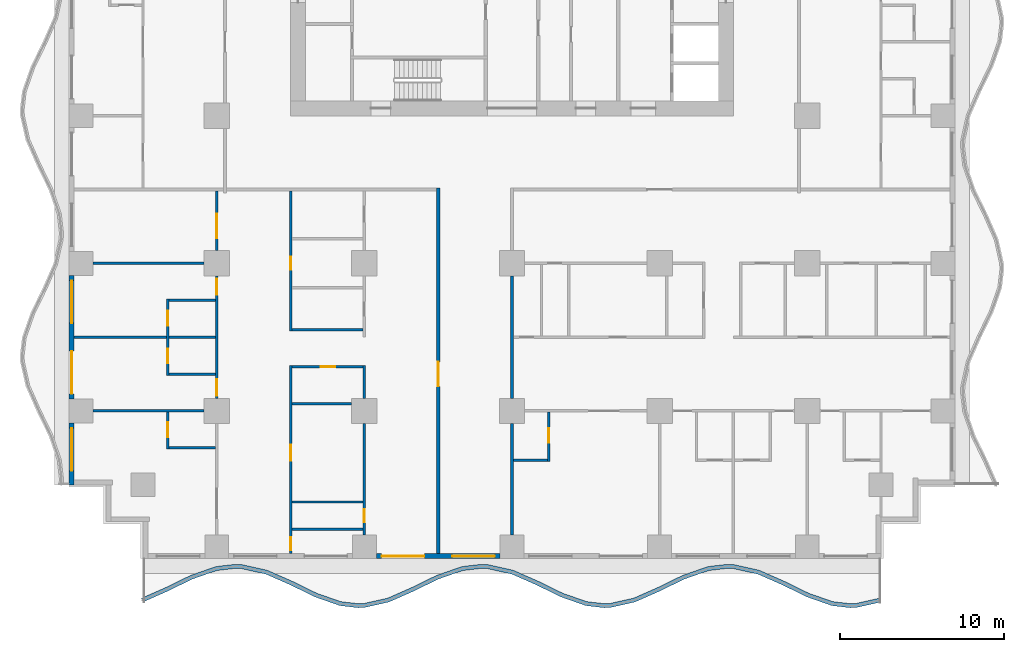
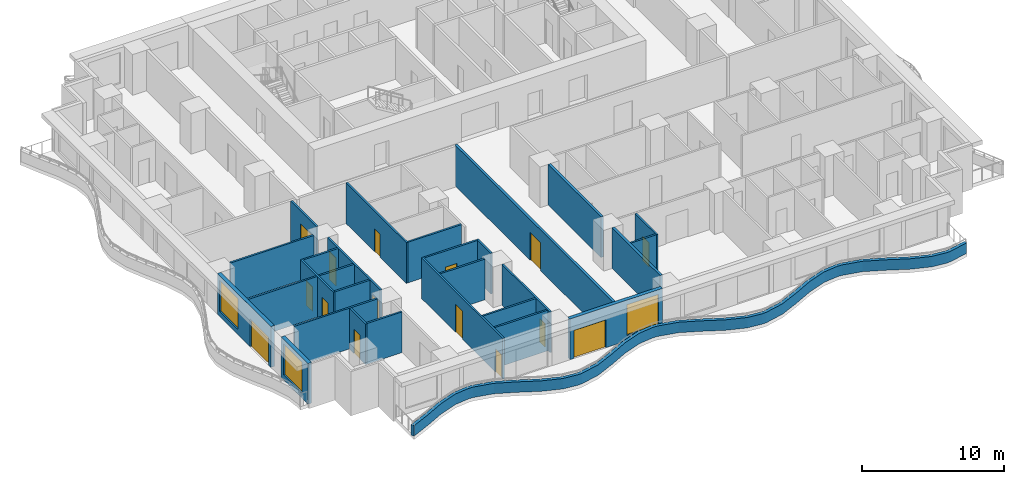
# One storey, part 2 of 14: 29 walls, 15 doors, 3 windows, 18 openings.
"""IFC4 building model written with IfcOpenShell, lengths in metres."""

from ifc_helpers import new_model, si_unit, direction, frame, frame_2d, origin, place, context, subcontext, project, spatial, polyline, rectangle, outline, extrude, material, layer, layer_set, type_object, element, fill, save


model = new_model("IFC4")

# Units and contexts
model_context = context("Model", 3, precision=1e-05, world=origin(), true_north=direction((0.0, 1.0)))
body_context = subcontext(model_context, "Body", "Model", "MODEL_VIEW")
ifc_project = project(units=[si_unit("LENGTHUNIT", "METRE"), si_unit("AREAUNIT", "SQUARE_METRE"), si_unit("VOLUMEUNIT", "CUBIC_METRE"), si_unit("PLANEANGLEUNIT", "RADIAN"), si_unit("MASSUNIT", "GRAM", prefix="KILO")], contexts=[model_context])

# Site, building, storey
site_placement = place(None, origin())
site = spatial("IfcSite", under=ifc_project, at=site_placement, CompositionType="ELEMENT")
building_placement = place(site_placement, origin())
building = spatial("IfcBuilding", under=site, at=building_placement, Name="Orbiselva Terraces", CompositionType="ELEMENT")
storey_placement = place(building_placement, frame((0.0, 0.0, 26.4)))
storey = spatial("IfcBuildingStorey", under=building, at=storey_placement, Name="L06", CompositionType="ELEMENT", Elevation=26.4)

# Wall
ifc_material_1 = material(Name="Concrete C40/50", Category="concrete")
ifc_layer_1 = layer(ifc_material_1, 0.25)
ifc_layer_set_1 = layer_set([ifc_layer_1], Name="Concrete C40/50")
wall_type_1 = type_object("IfcWallType", Name="ENV-PLANTER-250x900", PredefinedType="USERDEFINED", material=ifc_layer_set_1)
wall_1_placement = place(storey_placement, origin())
element("IfcWall", 1, at=wall_1_placement, inside=storey, type_object=wall_type_1, Name="Balcony planter L06 S", ObjectType="PLANTER", PredefinedType="USERDEFINED", context=body_context, shape_type="SweptSolid", body=[
    extrude(outline(polyline([(-22.5, -25.148528), (-21.0, -24.487721), (-19.5, -23.755211), (-18.0, -23.230792), (-16.875, -23.1), (-16.5, -23.114774), (-15.0, -23.451472), (-13.5, -24.112279), (-12.0, -24.844789), (-10.5, -25.369208), (-9.375, -25.5), (-9.0, -25.485226), (-7.5, -25.148528), (-6.0, -24.487721), (-4.5, -23.755211), (-3.0, -23.230792), (-1.875, -23.1), (-1.5, -23.114774), (0.0, -23.451472), (1.5, -24.112279), (3.0, -24.844789), (4.5, -25.369208), (5.625, -25.5), (6.0, -25.485226), (7.5, -25.148528), (9.0, -24.487721), (10.5, -23.755211), (12.0, -23.230792), (13.125, -23.1), (13.5, -23.114774), (15.0, -23.451472), (16.5, -24.112279), (18.0, -24.844789), (19.5, -25.369208), (20.625, -25.5), (21.0, -25.485226), (22.5, -25.148528), (22.445246, -24.904598), (20.967435, -25.236315), (20.634572, -25.249429), (19.556371, -25.124078), (18.09644, -24.613667), (16.605286, -23.885477), (15.078508, -23.212874), (13.532565, -22.865863), (13.115428, -22.849429), (11.943629, -22.985662), (10.40356, -23.524089), (8.894714, -24.260919), (7.421492, -24.90993), (5.967435, -25.236315), (5.634572, -25.249429), (4.556371, -25.124078), (3.09644, -24.613667), (1.605286, -23.885477), (0.078508, -23.212874), (-1.467435, -22.865863), (-1.884572, -22.849429), (-3.056371, -22.985662), (-4.59644, -23.524089), (-6.105286, -24.260919), (-7.578508, -24.90993), (-9.032565, -25.236315), (-9.365428, -25.249429), (-10.443629, -25.124078), (-11.90356, -24.613667), (-13.394714, -23.885477), (-14.921492, -23.212874), (-16.467435, -22.865863), (-16.884572, -22.849429), (-18.056371, -22.985662), (-19.59644, -23.524089), (-21.105286, -24.260919), (-22.600788, -24.919745), (-22.5, -25.148528)])), origin(), (0.0, 0.0, 1.0), 0.9),
])

# Wall, openings, door, window
ifc_material_2 = material(Name="Terracotta cladding on masonry backing", Category="masonry")
ifc_layer_2 = layer(ifc_material_2, 0.3)
ifc_layer_set_2 = layer_set([ifc_layer_2], Name="Terracotta cladding on masonry backing")
wall_type_2 = type_object("IfcWallType", Name="ENV-WALL-TERRACOTTA-300", PredefinedType="SOLIDWALL", material=ifc_layer_set_2)
wall_2_placement = place(storey_placement, frame((-0.725, -22.35, 0.0), z_axis=(0.0, 0.0, 1.0), x_axis=(-1.0, 0.0, 0.0)))
wall_2 = element("IfcWall", 2, at=wall_2_placement, inside=storey, type_object=wall_type_2, Name="Facade wall L06 S", PredefinedType="SOLIDWALL", context=body_context, shape_type="SweptSolid", body=[
    extrude(rectangle(XDim=7.55, YDim=0.3, at=frame_2d((3.775, 0.0))), origin(), (0.0, 0.0, 1.0), 3.5),
])
opening_1_placement = place(wall_2_placement, frame((4.625, 0.0, 0.0)))
opening_1 = element("IfcOpeningElement", 3, at=opening_1_placement, cuts=wall_2, Name="Opening Z1-B-E02", PredefinedType="OPENING", context=body_context, shape_type="SweptSolid", body=[
    extrude(rectangle(XDim=2.6, YDim=2.4, at=frame_2d((1.3, 1.2))), frame((0.0, 0.16, 0.0), z_axis=(0.0, -1.0, 0.0), x_axis=(1.0, 0.0, 0.0)), (0.0, 0.0, 1.0), 0.32),
])
opening_2_placement = place(wall_2_placement, frame((0.325, 0.0, 0.45)))
opening_2 = element("IfcOpeningElement", 4, at=opening_2_placement, cuts=wall_2, Name="Opening WN1", PredefinedType="OPENING", context=body_context, shape_type="SweptSolid", body=[
    extrude(rectangle(XDim=2.6, YDim=2.65, at=frame_2d((1.3, 1.325))), frame((0.0, 0.16, 0.0), z_axis=(0.0, -1.0, 0.0), x_axis=(1.0, 0.0, 0.0)), (0.0, 0.0, 1.0), 0.32),
])
ifc_material_3 = material(Name="Clear low-e glazing in aluminium frame", Category="aluminium")
door_type_1 = type_object("IfcDoorType", Name="BALCONY DOOR 2600 X 2400", OperationType="DOUBLE_DOOR_SLIDING", PredefinedType="DOOR", material=ifc_material_3)
door_1_placement = place(opening_1_placement, origin())
door_1 = element("IfcDoor", 5, at=door_1_placement, inside=storey, type_object=door_type_1, Name="Z1-B-E02", OperationType="SINGLE_SWING_LEFT", OverallHeight=2.4, OverallWidth=2.6, PredefinedType="DOOR", context=body_context, shape_type="SweptSolid", body=[
    extrude(rectangle(XDim=2.6, YDim=2.4, at=frame_2d((1.3, 1.2))), frame((0.0, 0.025, 0.0), z_axis=(0.0, -1.0, 0.0), x_axis=(1.0, 0.0, 0.0)), (0.0, 0.0, 1.0), 0.05),
])
fill(opening_1, door_1)
window_type = type_object("IfcWindowType", Name="WINDOW 2600 X 2650 S450", PartitioningType="TRIPLE_PANEL_VERTICAL", PredefinedType="WINDOW", material=ifc_material_3)
window_1_placement = place(opening_2_placement, origin())
window_1 = element("IfcWindow", 6, at=window_1_placement, inside=storey, type_object=window_type, Name="Window L06 S", OverallHeight=2.65, OverallWidth=2.6, PartitioningType="SINGLE_PANEL", PredefinedType="WINDOW", context=body_context, shape_type="SweptSolid", body=[
    extrude(rectangle(XDim=2.6, YDim=2.65, at=frame_2d((1.3, 1.325))), frame((0.0, 0.03, 0.0), z_axis=(0.0, -1.0, 0.0), x_axis=(1.0, 0.0, 0.0)), (0.0, 0.0, 1.0), 0.06),
])
fill(opening_2, window_1)

wall_3_placement = place(storey_placement, frame((-26.85, -12.775, 0.0), z_axis=(0.0, 0.0, 1.0), x_axis=(0.0, 1.0, 0.0)))
wall_3 = element("IfcWall", 7, at=wall_3_placement, inside=storey, type_object=wall_type_2, Name="Facade wall L06 W", PredefinedType="SOLIDWALL", context=body_context, shape_type="SweptSolid", body=[
    extrude(rectangle(XDim=7.55, YDim=0.3, at=frame_2d((3.775, 0.0))), origin(), (0.0, 0.0, 1.0), 3.5),
])
opening_3_placement = place(wall_3_placement, frame((4.625, 0.0, 0.45)))
opening_3 = element("IfcOpeningElement", 8, at=opening_3_placement, cuts=wall_3, Name="Opening WN1", PredefinedType="OPENING", context=body_context, shape_type="SweptSolid", body=[
    extrude(rectangle(XDim=2.6, YDim=2.65, at=frame_2d((1.3, 1.325))), frame((0.0, 0.16, 0.0), z_axis=(0.0, -1.0, 0.0), x_axis=(1.0, 0.0, 0.0)), (0.0, 0.0, 1.0), 0.32),
])
opening_4_placement = place(wall_3_placement, frame((0.325, 0.0, 0.0)))
opening_4 = element("IfcOpeningElement", 9, at=opening_4_placement, cuts=wall_3, Name="Opening Z1-B-E12", PredefinedType="OPENING", context=body_context, shape_type="SweptSolid", body=[
    extrude(rectangle(XDim=2.6, YDim=2.4, at=frame_2d((1.3, 1.2))), frame((0.0, 0.16, 0.0), z_axis=(0.0, -1.0, 0.0), x_axis=(1.0, 0.0, 0.0)), (0.0, 0.0, 1.0), 0.32),
])
door_2_placement = place(opening_4_placement, origin())
door_2 = element("IfcDoor", 10, at=door_2_placement, inside=storey, type_object=door_type_1, Name="Z1-B-E12", OperationType="SINGLE_SWING_LEFT", OverallHeight=2.4, OverallWidth=2.6, PredefinedType="DOOR", context=body_context, shape_type="SweptSolid", body=[
    extrude(rectangle(XDim=2.6, YDim=2.4, at=frame_2d((1.3, 1.2))), frame((0.0, 0.025, 0.0), z_axis=(0.0, -1.0, 0.0), x_axis=(1.0, 0.0, 0.0)), (0.0, 0.0, 1.0), 0.05),
])
fill(opening_4, door_2)
window_2_placement = place(opening_3_placement, origin())
window_2 = element("IfcWindow", 11, at=window_2_placement, inside=storey, type_object=window_type, Name="Window L06 W", OverallHeight=2.65, OverallWidth=2.6, PartitioningType="SINGLE_PANEL", PredefinedType="WINDOW", context=body_context, shape_type="SweptSolid", body=[
    extrude(rectangle(XDim=2.6, YDim=2.65, at=frame_2d((1.3, 1.325))), frame((0.0, 0.03, 0.0), z_axis=(0.0, -1.0, 0.0), x_axis=(1.0, 0.0, 0.0)), (0.0, 0.0, 1.0), 0.06),
])
fill(opening_3, window_2)

# Wall, opening, window
wall_4_placement = place(storey_placement, frame((-26.85, -18.0, 0.0), z_axis=(0.0, 0.0, 1.0), x_axis=(0.0, 1.0, 0.0)))
wall_4 = element("IfcWall", 12, at=wall_4_placement, inside=storey, type_object=wall_type_2, Name="Facade wall L06 W", PredefinedType="SOLIDWALL", context=body_context, shape_type="SweptSolid", body=[
    extrude(rectangle(XDim=3.775, YDim=0.3, at=frame_2d((1.8875, 0.0))), origin(), (0.0, 0.0, 1.0), 3.5),
])
opening_5_placement = place(wall_4_placement, frame((0.85, 0.0, 0.45)))
opening_5 = element("IfcOpeningElement", 13, at=opening_5_placement, cuts=wall_4, Name="Opening WN1", PredefinedType="OPENING", context=body_context, shape_type="SweptSolid", body=[
    extrude(rectangle(XDim=2.6, YDim=2.65, at=frame_2d((1.3, 1.325))), frame((0.0, 0.16, 0.0), z_axis=(0.0, -1.0, 0.0), x_axis=(1.0, 0.0, 0.0)), (0.0, 0.0, 1.0), 0.32),
])
window_3_placement = place(opening_5_placement, origin())
window_3 = element("IfcWindow", 14, at=window_3_placement, inside=storey, type_object=window_type, Name="Window L06 W", OverallHeight=2.65, OverallWidth=2.6, PartitioningType="SINGLE_PANEL", PredefinedType="WINDOW", context=body_context, shape_type="SweptSolid", body=[
    extrude(rectangle(XDim=2.6, YDim=2.65, at=frame_2d((1.3, 1.325))), frame((0.0, 0.03, 0.0), z_axis=(0.0, -1.0, 0.0), x_axis=(1.0, 0.0, 0.0)), (0.0, 0.0, 1.0), 0.06),
])
fill(opening_5, window_3)

# Wall, opening, door
ifc_material_4 = material(Name="Plasterboard on steel stud partition", Category="steel")
ifc_layer_3 = layer(ifc_material_4, 0.2)
ifc_layer_set_3 = layer_set([ifc_layer_3], Name="Plasterboard on steel stud partition")
wall_type_3 = type_object("IfcWallType", Name="UNIT-ENTRANCE-WALL-200", PredefinedType="PARTITIONING", material=ifc_layer_set_3)
wall_5_placement = place(storey_placement, frame((-4.5, -22.2, 0.0), z_axis=(0.0, 0.0, 1.0), x_axis=(0.0, 1.0, 0.0)))
wall_5 = element("IfcWall", 15, at=wall_5_placement, inside=storey, type_object=wall_type_3, Name="PARTITION L06-058", PredefinedType="PARTITIONING", context=body_context, shape_type="SweptSolid", body=[
    extrude(rectangle(XDim=22.3, YDim=0.2, at=frame_2d((11.15, 0.0))), origin(), (0.0, 0.0, 1.0), 3.5),
])
opening_6_placement = place(wall_5_placement, frame((10.2, 0.0, 0.0)))
opening_6 = element("IfcOpeningElement", 16, at=opening_6_placement, cuts=wall_5, Name="Opening Z1-B-13", PredefinedType="OPENING", context=body_context, shape_type="SweptSolid", body=[
    extrude(rectangle(XDim=1.5, YDim=2.4, at=frame_2d((0.75, 1.2))), frame((0.0, 0.11, 0.0), z_axis=(0.0, -1.0, 0.0), x_axis=(1.0, 0.0, 0.0)), (0.0, 0.0, 1.0), 0.22),
])
ifc_material_5 = material(Name="Painted timber door leaf", Category="wood")
door_type_2 = type_object("IfcDoorType", Name="ENTRANCE DOUBLE DOOR 1500", OperationType="NOTDEFINED", PredefinedType="DOOR", material=ifc_material_5)
door_3_placement = place(opening_6_placement, origin())
door_3 = element("IfcDoor", 17, at=door_3_placement, inside=storey, type_object=door_type_2, Name="Z1-B-13", OperationType="DOUBLE_DOOR_SINGLE_SWING", OverallHeight=2.4, OverallWidth=1.5, PredefinedType="DOOR", context=body_context, shape_type="SweptSolid", body=[
    extrude(rectangle(XDim=1.5, YDim=2.4, at=frame_2d((0.75, 1.2))), frame((0.0, 0.025, 0.0), z_axis=(0.0, -1.0, 0.0), x_axis=(1.0, 0.0, 0.0)), (0.0, 0.0, 1.0), 0.05),
])
fill(opening_6, door_3)

# Walls
wall_6_placement = place(storey_placement, frame((0.0, -21.05, 0.0), z_axis=(0.0, 0.0, 1.0), x_axis=(0.0, 1.0, 0.0)))
element("IfcWall", 18, at=wall_6_placement, inside=storey, type_object=wall_type_3, Name="PARTITION L06-059", PredefinedType="PARTITIONING", context=body_context, shape_type="SweptSolid", body=[
    extrude(rectangle(XDim=6.775, YDim=0.2, at=frame_2d((3.3875, 0.0))), origin(), (0.0, 0.0, 1.0), 3.5),
])
wall_7_placement = place(storey_placement, frame((0.0, -12.725, 0.0), z_axis=(0.0, 0.0, 1.0), x_axis=(0.0, 1.0, 0.0)))
element("IfcWall", 19, at=wall_7_placement, inside=storey, type_object=wall_type_3, Name="PARTITION L06-060", PredefinedType="PARTITIONING", context=body_context, shape_type="SweptSolid", body=[
    extrude(rectangle(XDim=7.45, YDim=0.2, at=frame_2d((3.725, 0.0))), origin(), (0.0, 0.0, 1.0), 3.5),
])
ifc_layer_4 = layer(ifc_material_4, 0.15)
ifc_layer_set_4 = layer_set([ifc_layer_4], Name="Plasterboard on steel stud partition")
wall_type_4 = type_object("IfcWallType", Name="UNIT-PARTITION-150", PredefinedType="PARTITIONING", material=ifc_layer_set_4)
for number, where, z_axis, x_axis, name in (
    (20, (-13.425, -20.7, 0.0), (0.0, 0.0, 1.0), (1.0, 0.0, 0.0), "PARTITION L06-001"),
    (21, (-13.425, -19.05, 0.0), (0.0, 0.0, 1.0), (1.0, 0.0, 0.0), "PARTITION L06-002"),
):
    element("IfcWall", number, at=place(storey_placement, frame(where, z_axis=z_axis, x_axis=x_axis)), inside=storey, type_object=wall_type_4, Name=name, PredefinedType="PARTITIONING", context=body_context, shape_type="SweptSolid", body=[
        extrude(rectangle(XDim=4.35, YDim=0.15, at=frame_2d((2.175, 0.0))), origin(), (0.0, 0.0, 1.0), 3.5),
    ])
wall_8_placement = place(storey_placement, frame((0.1, -16.5, 0.0), z_axis=(0.0, 0.0, 1.0), x_axis=(1.0, 0.0, 0.0)))
element("IfcWall", 22, at=wall_8_placement, inside=storey, type_object=wall_type_4, Name="PARTITION L06-003", PredefinedType="PARTITIONING", context=body_context, shape_type="SweptSolid", body=[
    extrude(rectangle(XDim=2.075, YDim=0.15, at=frame_2d((1.0375, 0.0))), origin(), (0.0, 0.0, 1.0), 3.5),
])
wall_9_placement = place(storey_placement, frame((-20.925, -15.75, 0.0), z_axis=(0.0, 0.0, 1.0), x_axis=(1.0, 0.0, 0.0)))
element("IfcWall", 23, at=wall_9_placement, inside=storey, type_object=wall_type_4, Name="PARTITION L06-007", PredefinedType="PARTITIONING", context=body_context, shape_type="SweptSolid", body=[
    extrude(rectangle(XDim=2.85, YDim=0.15, at=frame_2d((1.425, 0.0))), origin(), (0.0, 0.0, 1.0), 3.5),
])
wall_10_placement = place(storey_placement, frame((-25.55, -13.5, 0.0), z_axis=(0.0, 0.0, 1.0), x_axis=(1.0, 0.0, 0.0)))
element("IfcWall", 24, at=wall_10_placement, inside=storey, type_object=wall_type_4, Name="PARTITION L06-008", PredefinedType="PARTITIONING", context=body_context, shape_type="SweptSolid", body=[
    extrude(rectangle(XDim=6.775, YDim=0.15, at=frame_2d((3.3875, 0.0))), origin(), (0.0, 0.0, 1.0), 3.5),
])
wall_11_placement = place(storey_placement, frame((-13.425, -13.05, 0.0), z_axis=(0.0, 0.0, 1.0), x_axis=(1.0, 0.0, 0.0)))
element("IfcWall", 25, at=wall_11_placement, inside=storey, type_object=wall_type_4, Name="PARTITION L06-012", PredefinedType="PARTITIONING", context=body_context, shape_type="SweptSolid", body=[
    extrude(rectangle(XDim=3.65, YDim=0.15, at=frame_2d((1.825, 0.0))), origin(), (0.0, 0.0, 1.0), 3.5),
])
wall_12_placement = place(storey_placement, frame((-20.925, -11.25, 0.0), z_axis=(0.0, 0.0, 1.0), x_axis=(1.0, 0.0, 0.0)))
element("IfcWall", 26, at=wall_12_placement, inside=storey, type_object=wall_type_4, Name="PARTITION L06-013", PredefinedType="PARTITIONING", context=body_context, shape_type="SweptSolid", body=[
    extrude(rectangle(XDim=2.85, YDim=0.15, at=frame_2d((1.425, 0.0))), origin(), (0.0, 0.0, 1.0), 3.5),
])

# Wall, opening, door
wall_13_placement = place(storey_placement, frame((-9.075, -10.8, 0.0), z_axis=(0.0, 0.0, 1.0), x_axis=(-1.0, 0.0, 0.0)))
wall_13 = element("IfcWall", 27, at=wall_13_placement, inside=storey, type_object=wall_type_4, Name="PARTITION L06-014", PredefinedType="PARTITIONING", context=body_context, shape_type="SweptSolid", body=[
    extrude(rectangle(XDim=4.35, YDim=0.15, at=frame_2d((2.175, 0.0))), origin(), (0.0, 0.0, 1.0), 3.5),
])
opening_7_placement = place(wall_13_placement, frame((1.7, 0.0, 0.0)))
opening_7 = element("IfcOpeningElement", 28, at=opening_7_placement, cuts=wall_13, Name="Opening Z1-B-17", PredefinedType="OPENING", context=body_context, shape_type="SweptSolid", body=[
    extrude(rectangle(XDim=0.9, YDim=2.1, at=frame_2d((0.45, 1.05))), frame((0.0, 0.085, 0.0), z_axis=(0.0, -1.0, 0.0), x_axis=(1.0, 0.0, 0.0)), (0.0, 0.0, 1.0), 0.17),
])
door_type_3 = type_object("IfcDoorType", Name="BATH DOOR 900", OperationType="NOTDEFINED", PredefinedType="DOOR", material=ifc_material_5)
door_4_placement = place(opening_7_placement, origin())
door_4 = element("IfcDoor", 29, at=door_4_placement, inside=storey, type_object=door_type_3, Name="Z1-B-17", OperationType="SINGLE_SWING_LEFT", OverallHeight=2.1, OverallWidth=0.9, PredefinedType="DOOR", context=body_context, shape_type="SweptSolid", body=[
    extrude(rectangle(XDim=0.9, YDim=2.1, at=frame_2d((0.45, 1.05))), frame((0.0, 0.025, 0.0), z_axis=(0.0, -1.0, 0.0), x_axis=(1.0, 0.0, 0.0)), (0.0, 0.0, 1.0), 0.05),
])
fill(opening_7, door_4)

# Walls
wall_14_placement = place(storey_placement, frame((-26.7, -9.0, 0.0), z_axis=(0.0, 0.0, 1.0), x_axis=(1.0, 0.0, 0.0)))
element("IfcWall", 30, at=wall_14_placement, inside=storey, type_object=wall_type_4, Name="PARTITION L06-015", PredefinedType="PARTITIONING", context=body_context, shape_type="SweptSolid", body=[
    extrude(rectangle(XDim=5.625, YDim=0.15, at=frame_2d((2.8125, 0.0))), origin(), (0.0, 0.0, 1.0), 3.5),
])
wall_15_placement = place(storey_placement, frame((-20.925, -9.0, 0.0), z_axis=(0.0, 0.0, 1.0), x_axis=(1.0, 0.0, 0.0)))
element("IfcWall", 31, at=wall_15_placement, inside=storey, type_object=wall_type_4, Name="PARTITION L06-016", PredefinedType="PARTITIONING", context=body_context, shape_type="SweptSolid", body=[
    extrude(rectangle(XDim=2.85, YDim=0.15, at=frame_2d((1.425, 0.0))), origin(), (0.0, 0.0, 1.0), 3.5),
])
wall_16_placement = place(storey_placement, frame((-13.425, -8.55, 0.0), z_axis=(0.0, 0.0, 1.0), x_axis=(1.0, 0.0, 0.0)))
element("IfcWall", 32, at=wall_16_placement, inside=storey, type_object=wall_type_4, Name="PARTITION L06-019", PredefinedType="PARTITIONING", context=body_context, shape_type="SweptSolid", body=[
    extrude(rectangle(XDim=4.35, YDim=0.15, at=frame_2d((2.175, 0.0))), origin(), (0.0, 0.0, 1.0), 3.5),
])
wall_17_placement = place(storey_placement, frame((-20.925, -6.75, 0.0), z_axis=(0.0, 0.0, 1.0), x_axis=(1.0, 0.0, 0.0)))
element("IfcWall", 33, at=wall_17_placement, inside=storey, type_object=wall_type_4, Name="PARTITION L06-020", PredefinedType="PARTITIONING", context=body_context, shape_type="SweptSolid", body=[
    extrude(rectangle(XDim=2.85, YDim=0.15, at=frame_2d((1.425, 0.0))), origin(), (0.0, 0.0, 1.0), 3.5),
])
wall_18_placement = place(storey_placement, frame((-25.55, -4.5, 0.0), z_axis=(0.0, 0.0, 1.0), x_axis=(1.0, 0.0, 0.0)))
element("IfcWall", 34, at=wall_18_placement, inside=storey, type_object=wall_type_4, Name="PARTITION L06-022", PredefinedType="PARTITIONING", context=body_context, shape_type="SweptSolid", body=[
    extrude(rectangle(XDim=6.775, YDim=0.15, at=frame_2d((3.3875, 0.0))), origin(), (0.0, 0.0, 1.0), 3.5),
])

# Wall, opening, door
wall_19_placement = place(storey_placement, frame((-21.0, -13.575, 0.0), z_axis=(0.0, 0.0, 1.0), x_axis=(0.0, -1.0, 0.0)))
wall_19 = element("IfcWall", 35, at=wall_19_placement, inside=storey, type_object=wall_type_4, Name="PARTITION L06-044", PredefinedType="PARTITIONING", context=body_context, shape_type="SweptSolid", body=[
    extrude(rectangle(XDim=2.25, YDim=0.15, at=frame_2d((1.125, 0.0))), origin(), (0.0, 0.0, 1.0), 3.5),
])
opening_8_placement = place(wall_19_placement, frame((0.625, 0.0, 0.0)))
opening_8 = element("IfcOpeningElement", 36, at=opening_8_placement, cuts=wall_19, Name="Opening Z1-B-22", PredefinedType="OPENING", context=body_context, shape_type="SweptSolid", body=[
    extrude(rectangle(XDim=0.9, YDim=2.1, at=frame_2d((0.45, 1.05))), frame((0.0, 0.085, 0.0), z_axis=(0.0, -1.0, 0.0), x_axis=(1.0, 0.0, 0.0)), (0.0, 0.0, 1.0), 0.17),
])
door_5_placement = place(opening_8_placement, origin())
door_5 = element("IfcDoor", 37, at=door_5_placement, inside=storey, type_object=door_type_3, Name="Z1-B-22", OperationType="SINGLE_SWING_LEFT", OverallHeight=2.1, OverallWidth=0.9, PredefinedType="DOOR", context=body_context, shape_type="SweptSolid", body=[
    extrude(rectangle(XDim=0.9, YDim=2.1, at=frame_2d((0.45, 1.05))), frame((0.0, 0.025, 0.0), z_axis=(0.0, -1.0, 0.0), x_axis=(1.0, 0.0, 0.0)), (0.0, 0.0, 1.0), 0.05),
])
fill(opening_8, door_5)

# Wall, openings, doors
wall_20_placement = place(storey_placement, frame((-21.0, -6.675, 0.0), z_axis=(0.0, 0.0, 1.0), x_axis=(0.0, -1.0, 0.0)))
wall_20 = element("IfcWall", 38, at=wall_20_placement, inside=storey, type_object=wall_type_4, Name="PARTITION L06-045", PredefinedType="PARTITIONING", context=body_context, shape_type="SweptSolid", body=[
    extrude(rectangle(XDim=4.65, YDim=0.15, at=frame_2d((2.325, 0.0))), origin(), (0.0, 0.0, 1.0), 3.5),
])
opening_9_placement = place(wall_20_placement, frame((3.025, 0.0, 0.0)))
opening_9 = element("IfcOpeningElement", 39, at=opening_9_placement, cuts=wall_20, Name="Opening Z1-B-24", PredefinedType="OPENING", context=body_context, shape_type="SweptSolid", body=[
    extrude(rectangle(XDim=0.9, YDim=2.1, at=frame_2d((0.45, 1.05))), frame((0.0, 0.085, 0.0), z_axis=(0.0, -1.0, 0.0), x_axis=(1.0, 0.0, 0.0)), (0.0, 0.0, 1.0), 0.17),
])
opening_10_placement = place(wall_20_placement, frame((0.725, 0.0, 0.0)))
opening_10 = element("IfcOpeningElement", 40, at=opening_10_placement, cuts=wall_20, Name="Opening Z1-B-26", PredefinedType="OPENING", context=body_context, shape_type="SweptSolid", body=[
    extrude(rectangle(XDim=0.9, YDim=2.1, at=frame_2d((0.45, 1.05))), frame((0.0, 0.085, 0.0), z_axis=(0.0, -1.0, 0.0), x_axis=(1.0, 0.0, 0.0)), (0.0, 0.0, 1.0), 0.17),
])
door_6_placement = place(opening_9_placement, origin())
door_6 = element("IfcDoor", 41, at=door_6_placement, inside=storey, type_object=door_type_3, Name="Z1-B-24", OperationType="SINGLE_SWING_RIGHT", OverallHeight=2.1, OverallWidth=0.9, PredefinedType="DOOR", context=body_context, shape_type="SweptSolid", body=[
    extrude(rectangle(XDim=0.9, YDim=2.1, at=frame_2d((0.45, 1.05))), frame((0.0, 0.025, 0.0), z_axis=(0.0, -1.0, 0.0), x_axis=(1.0, 0.0, 0.0)), (0.0, 0.0, 1.0), 0.05),
])
fill(opening_9, door_6)
door_7_placement = place(opening_10_placement, origin())
door_7 = element("IfcDoor", 42, at=door_7_placement, inside=storey, type_object=door_type_3, Name="Z1-B-26", OperationType="SINGLE_SWING_LEFT", OverallHeight=2.1, OverallWidth=0.9, PredefinedType="DOOR", context=body_context, shape_type="SweptSolid", body=[
    extrude(rectangle(XDim=0.9, YDim=2.1, at=frame_2d((0.45, 1.05))), frame((0.0, 0.025, 0.0), z_axis=(0.0, -1.0, 0.0), x_axis=(1.0, 0.0, 0.0)), (0.0, 0.0, 1.0), 0.05),
])
fill(opening_10, door_7)

wall_21_placement = place(storey_placement, frame((-18.0, -12.725, 0.0), z_axis=(0.0, 0.0, 1.0), x_axis=(0.0, 1.0, 0.0)))
wall_21 = element("IfcWall", 43, at=wall_21_placement, inside=storey, type_object=wall_type_4, Name="PARTITION L06-047", PredefinedType="PARTITIONING", context=body_context, shape_type="SweptSolid", body=[
    extrude(rectangle(XDim=7.45, YDim=0.15, at=frame_2d((3.725, 0.0))), origin(), (0.0, 0.0, 1.0), 3.5),
])
opening_11_placement = place(wall_21_placement, frame((0.15, 0.0, 0.0)))
opening_11 = element("IfcOpeningElement", 44, at=opening_11_placement, cuts=wall_21, Name="Opening Z1-B-23", PredefinedType="OPENING", context=body_context, shape_type="SweptSolid", body=[
    extrude(rectangle(XDim=1.0, YDim=2.4, at=frame_2d((0.5, 1.2))), frame((0.0, 0.085, 0.0), z_axis=(0.0, -1.0, 0.0), x_axis=(1.0, 0.0, 0.0)), (0.0, 0.0, 1.0), 0.17),
])
opening_12_placement = place(wall_21_placement, frame((6.3, 0.0, 0.0)))
opening_12 = element("IfcOpeningElement", 45, at=opening_12_placement, cuts=wall_21, Name="Opening Z1-B-25", PredefinedType="OPENING", context=body_context, shape_type="SweptSolid", body=[
    extrude(rectangle(XDim=1.0, YDim=2.4, at=frame_2d((0.5, 1.2))), frame((0.0, 0.085, 0.0), z_axis=(0.0, -1.0, 0.0), x_axis=(1.0, 0.0, 0.0)), (0.0, 0.0, 1.0), 0.17),
])
door_type_4 = type_object("IfcDoorType", Name="ROOM DOOR 1000", OperationType="NOTDEFINED", PredefinedType="DOOR", material=ifc_material_5)
door_8_placement = place(opening_11_placement, origin())
door_8 = element("IfcDoor", 46, at=door_8_placement, inside=storey, type_object=door_type_4, Name="Z1-B-23", OperationType="SINGLE_SWING_LEFT", OverallHeight=2.4, OverallWidth=1.0, PredefinedType="DOOR", context=body_context, shape_type="SweptSolid", body=[
    extrude(rectangle(XDim=1.0, YDim=2.4, at=frame_2d((0.5, 1.2))), frame((0.0, 0.025, 0.0), z_axis=(0.0, -1.0, 0.0), x_axis=(1.0, 0.0, 0.0)), (0.0, 0.0, 1.0), 0.05),
])
fill(opening_11, door_8)
door_9_placement = place(opening_12_placement, origin())
door_9 = element("IfcDoor", 47, at=door_9_placement, inside=storey, type_object=door_type_4, Name="Z1-B-25", OperationType="SINGLE_SWING_RIGHT", OverallHeight=2.4, OverallWidth=1.0, PredefinedType="DOOR", context=body_context, shape_type="SweptSolid", body=[
    extrude(rectangle(XDim=1.0, YDim=2.4, at=frame_2d((0.5, 1.2))), frame((0.0, 0.025, 0.0), z_axis=(0.0, -1.0, 0.0), x_axis=(1.0, 0.0, 0.0)), (0.0, 0.0, 1.0), 0.05),
])
fill(opening_12, door_9)

# Wall, opening, door
wall_22_placement = place(storey_placement, frame((-18.0, -3.725, 0.0), z_axis=(0.0, 0.0, 1.0), x_axis=(0.0, 1.0, 0.0)))
wall_22 = element("IfcWall", 48, at=wall_22_placement, inside=storey, type_object=wall_type_4, Name="PARTITION L06-048", PredefinedType="PARTITIONING", context=body_context, shape_type="SweptSolid", body=[
    extrude(rectangle(XDim=3.625, YDim=0.15, at=frame_2d((1.8125, 0.0))), origin(), (0.0, 0.0, 1.0), 3.5),
])
opening_13_placement = place(wall_22_placement, frame((0.75, 0.0, 0.0)))
opening_13 = element("IfcOpeningElement", 49, at=opening_13_placement, cuts=wall_22, Name="Opening Z1-B-27", PredefinedType="OPENING", context=body_context, shape_type="SweptSolid", body=[
    extrude(rectangle(XDim=1.5, YDim=2.4, at=frame_2d((0.75, 1.2))), frame((0.0, 0.085, 0.0), z_axis=(0.0, -1.0, 0.0), x_axis=(1.0, 0.0, 0.0)), (0.0, 0.0, 1.0), 0.17),
])
door_type_5 = type_object("IfcDoorType", Name="DOUBLE DOOR 1500", OperationType="NOTDEFINED", PredefinedType="DOOR", material=ifc_material_5)
door_10_placement = place(opening_13_placement, origin())
door_10 = element("IfcDoor", 50, at=door_10_placement, inside=storey, type_object=door_type_5, Name="Z1-B-27", OperationType="DOUBLE_DOOR_SINGLE_SWING", OverallHeight=2.4, OverallWidth=1.5, PredefinedType="DOOR", context=body_context, shape_type="SweptSolid", body=[
    extrude(rectangle(XDim=1.5, YDim=2.4, at=frame_2d((0.75, 1.2))), frame((0.0, 0.025, 0.0), z_axis=(0.0, -1.0, 0.0), x_axis=(1.0, 0.0, 0.0)), (0.0, 0.0, 1.0), 0.05),
])
fill(opening_13, door_10)

# Wall, openings, doors
wall_23_placement = place(storey_placement, frame((-13.5, -10.725, 0.0), z_axis=(0.0, 0.0, 1.0), x_axis=(0.0, -1.0, 0.0)))
wall_23 = element("IfcWall", 51, at=wall_23_placement, inside=storey, type_object=wall_type_4, Name="PARTITION L06-052", PredefinedType="PARTITIONING", context=body_context, shape_type="SweptSolid", body=[
    extrude(rectangle(XDim=11.475, YDim=0.15, at=frame_2d((5.7375, 0.0))), origin(), (0.0, 0.0, 1.0), 3.5),
])
opening_14_placement = place(wall_23_placement, frame((10.475, 0.0, 0.0)))
opening_14 = element("IfcOpeningElement", 52, at=opening_14_placement, cuts=wall_23, Name="Opening Z1-B-14", PredefinedType="OPENING", context=body_context, shape_type="SweptSolid", body=[
    extrude(rectangle(XDim=0.8, YDim=2.0, at=frame_2d((0.4, 1.0))), frame((0.0, 0.085, 0.0), z_axis=(0.0, -1.0, 0.0), x_axis=(1.0, 0.0, 0.0)), (0.0, 0.0, 1.0), 0.17),
])
opening_15_placement = place(wall_23_placement, frame((4.825, 0.0, 0.0)))
opening_15 = element("IfcOpeningElement", 53, at=opening_15_placement, cuts=wall_23, Name="Opening Z1-B-16", PredefinedType="OPENING", context=body_context, shape_type="SweptSolid", body=[
    extrude(rectangle(XDim=1.0, YDim=2.4, at=frame_2d((0.5, 1.2))), frame((0.0, 0.085, 0.0), z_axis=(0.0, -1.0, 0.0), x_axis=(1.0, 0.0, 0.0)), (0.0, 0.0, 1.0), 0.17),
])
door_11_placement = place(opening_15_placement, origin())
door_11 = element("IfcDoor", 54, at=door_11_placement, inside=storey, type_object=door_type_4, Name="Z1-B-16", OperationType="SINGLE_SWING_LEFT", OverallHeight=2.4, OverallWidth=1.0, PredefinedType="DOOR", context=body_context, shape_type="SweptSolid", body=[
    extrude(rectangle(XDim=1.0, YDim=2.4, at=frame_2d((0.5, 1.2))), frame((0.0, 0.025, 0.0), z_axis=(0.0, -1.0, 0.0), x_axis=(1.0, 0.0, 0.0)), (0.0, 0.0, 1.0), 0.05),
])
fill(opening_15, door_11)
door_type_6 = type_object("IfcDoorType", Name="STORE DOOR 800", OperationType="NOTDEFINED", PredefinedType="DOOR", material=ifc_material_5)
door_12_placement = place(opening_14_placement, origin())
door_12 = element("IfcDoor", 55, at=door_12_placement, inside=storey, type_object=door_type_6, Name="Z1-B-14", OperationType="SINGLE_SWING_RIGHT", OverallHeight=2.0, OverallWidth=0.8, PredefinedType="DOOR", context=body_context, shape_type="SweptSolid", body=[
    extrude(rectangle(XDim=0.8, YDim=2.0, at=frame_2d((0.4, 1.0))), frame((0.0, 0.025, 0.0), z_axis=(0.0, -1.0, 0.0), x_axis=(1.0, 0.0, 0.0)), (0.0, 0.0, 1.0), 0.05),
])
fill(opening_14, door_12)

# Wall, opening, door
wall_24_placement = place(storey_placement, frame((-13.5, -0.1, 0.0), z_axis=(0.0, 0.0, 1.0), x_axis=(0.0, -1.0, 0.0)))
wall_24 = element("IfcWall", 56, at=wall_24_placement, inside=storey, type_object=wall_type_4, Name="PARTITION L06-053", PredefinedType="PARTITIONING", context=body_context, shape_type="SweptSolid", body=[
    extrude(rectangle(XDim=8.525, YDim=0.15, at=frame_2d((4.2625, 0.0))), origin(), (0.0, 0.0, 1.0), 3.5),
])
opening_16_placement = place(wall_24_placement, frame((4.0, 0.0, 0.0)))
opening_16 = element("IfcOpeningElement", 57, at=opening_16_placement, cuts=wall_24, Name="Opening Z1-B-19", PredefinedType="OPENING", context=body_context, shape_type="SweptSolid", body=[
    extrude(rectangle(XDim=0.8, YDim=2.0, at=frame_2d((0.4, 1.0))), frame((0.0, 0.085, 0.0), z_axis=(0.0, -1.0, 0.0), x_axis=(1.0, 0.0, 0.0)), (0.0, 0.0, 1.0), 0.17),
])
door_13_placement = place(opening_16_placement, origin())
door_13 = element("IfcDoor", 58, at=door_13_placement, inside=storey, type_object=door_type_6, Name="Z1-B-19", OperationType="SINGLE_SWING_RIGHT", OverallHeight=2.0, OverallWidth=0.8, PredefinedType="DOOR", context=body_context, shape_type="SweptSolid", body=[
    extrude(rectangle(XDim=0.8, YDim=2.0, at=frame_2d((0.4, 1.0))), frame((0.0, 0.025, 0.0), z_axis=(0.0, -1.0, 0.0), x_axis=(1.0, 0.0, 0.0)), (0.0, 0.0, 1.0), 0.05),
])
fill(opening_16, door_13)

wall_25_placement = place(storey_placement, frame((-9.0, -21.05, 0.0), z_axis=(0.0, 0.0, 1.0), x_axis=(0.0, 1.0, 0.0)))
wall_25 = element("IfcWall", 59, at=wall_25_placement, inside=storey, type_object=wall_type_4, Name="PARTITION L06-054", PredefinedType="PARTITIONING", context=body_context, shape_type="SweptSolid", body=[
    extrude(rectangle(XDim=6.775, YDim=0.15, at=frame_2d((3.3875, 0.0))), origin(), (0.0, 0.0, 1.0), 3.5),
])
opening_17_placement = place(wall_25_placement, frame((0.75, 0.0, 0.0)))
opening_17 = element("IfcOpeningElement", 60, at=opening_17_placement, cuts=wall_25, Name="Opening Z1-B-15", PredefinedType="OPENING", context=body_context, shape_type="SweptSolid", body=[
    extrude(rectangle(XDim=0.8, YDim=2.0, at=frame_2d((0.4, 1.0))), frame((0.0, 0.085, 0.0), z_axis=(0.0, -1.0, 0.0), x_axis=(1.0, 0.0, 0.0)), (0.0, 0.0, 1.0), 0.17),
])
door_14_placement = place(opening_17_placement, origin())
door_14 = element("IfcDoor", 61, at=door_14_placement, inside=storey, type_object=door_type_6, Name="Z1-B-15", OperationType="SINGLE_SWING_LEFT", OverallHeight=2.0, OverallWidth=0.8, PredefinedType="DOOR", context=body_context, shape_type="SweptSolid", body=[
    extrude(rectangle(XDim=0.8, YDim=2.0, at=frame_2d((0.4, 1.0))), frame((0.0, 0.025, 0.0), z_axis=(0.0, -1.0, 0.0), x_axis=(1.0, 0.0, 0.0)), (0.0, 0.0, 1.0), 0.05),
])
fill(opening_17, door_14)

# Wall
wall_26_placement = place(storey_placement, frame((-9.0, -12.725, 0.0), z_axis=(0.0, 0.0, 1.0), x_axis=(0.0, 1.0, 0.0)))
element("IfcWall", 62, at=wall_26_placement, inside=storey, type_object=wall_type_4, Name="PARTITION L06-055", PredefinedType="PARTITIONING", context=body_context, shape_type="SweptSolid", body=[
    extrude(rectangle(XDim=2.0, YDim=0.15, at=frame_2d((1.0, 0.0))), origin(), (0.0, 0.0, 1.0), 3.5),
])

# Wall, opening, door
wall_27_placement = place(storey_placement, frame((2.25, -16.575, 0.0), z_axis=(0.0, 0.0, 1.0), x_axis=(0.0, 1.0, 0.0)))
wall_27 = element("IfcWall", 63, at=wall_27_placement, inside=storey, type_object=wall_type_4, Name="PARTITION L06-063", PredefinedType="PARTITIONING", context=body_context, shape_type="SweptSolid", body=[
    extrude(rectangle(XDim=3.0, YDim=0.15, at=frame_2d((1.5, 0.0))), origin(), (0.0, 0.0, 1.0), 3.5),
])
opening_18_placement = place(wall_27_placement, frame((1.125, 0.0, 0.0)))
opening_18 = element("IfcOpeningElement", 64, at=opening_18_placement, cuts=wall_27, Name="Opening Z1-B-39", PredefinedType="OPENING", context=body_context, shape_type="SweptSolid", body=[
    extrude(rectangle(XDim=0.9, YDim=2.1, at=frame_2d((0.45, 1.05))), frame((0.0, 0.085, 0.0), z_axis=(0.0, -1.0, 0.0), x_axis=(1.0, 0.0, 0.0)), (0.0, 0.0, 1.0), 0.17),
])
door_15_placement = place(opening_18_placement, origin())
door_15 = element("IfcDoor", 65, at=door_15_placement, inside=storey, type_object=door_type_3, Name="Z1-B-39", OperationType="SINGLE_SWING_RIGHT", OverallHeight=2.1, OverallWidth=0.9, PredefinedType="DOOR", context=body_context, shape_type="SweptSolid", body=[
    extrude(rectangle(XDim=0.9, YDim=2.1, at=frame_2d((0.45, 1.05))), frame((0.0, 0.025, 0.0), z_axis=(0.0, -1.0, 0.0), x_axis=(1.0, 0.0, 0.0)), (0.0, 0.0, 1.0), 0.05),
])
fill(opening_18, door_15)

save(model, "model.ifc")
